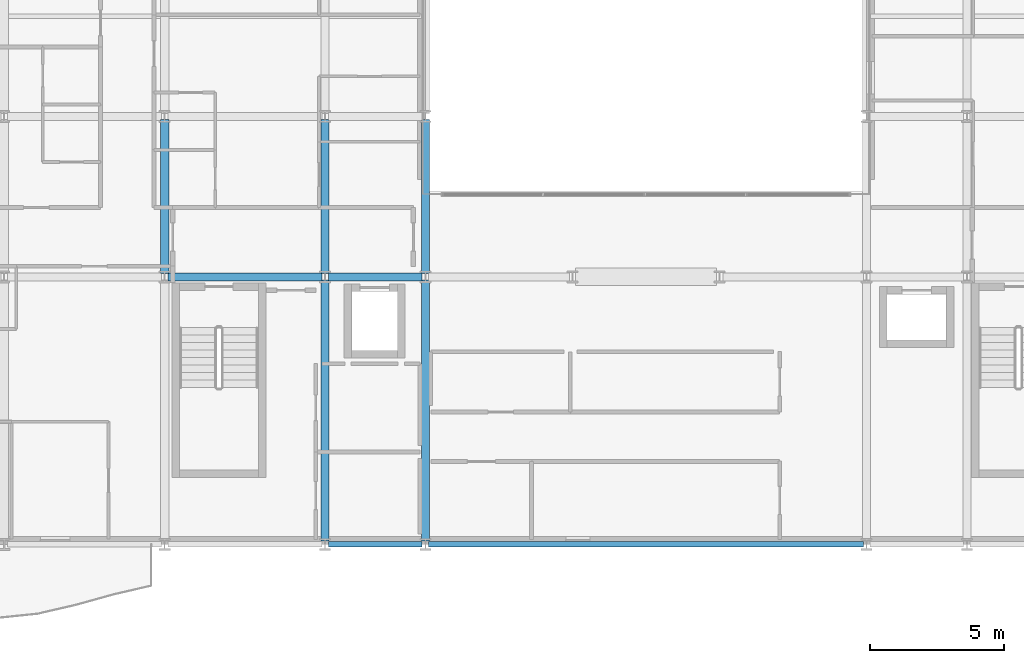
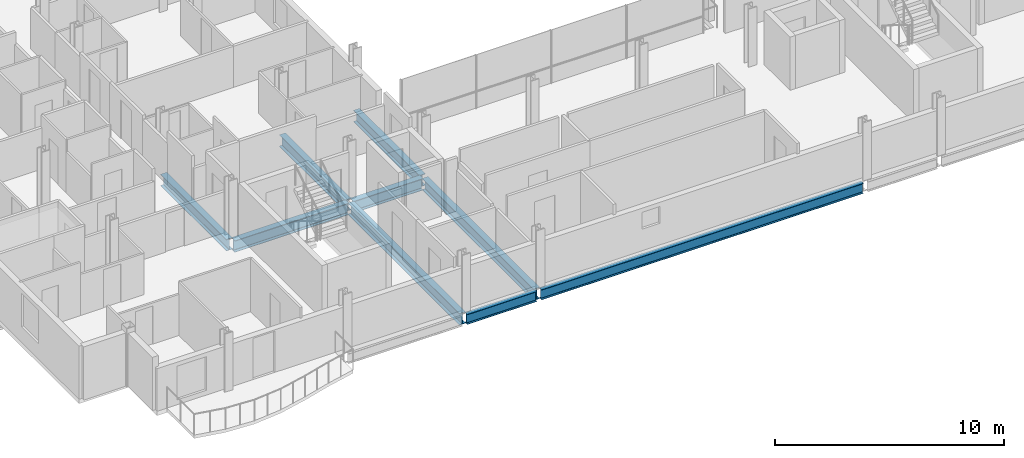
# One storey, part 3 of 41: 9 beams.
"""IFC4 building model written with IfcOpenShell, lengths in metres."""

from ifc_helpers import new_model, si_unit, direction, frame, origin, origin_2d, place, context, subcontext, project, spatial, i_section, extrude, material, material_profile, profile_set, type_object, element, save


model = new_model("IFC4")

# Units and contexts
model_context = context("Model", 3, precision=1e-05, world=origin(), true_north=direction((0.0, 1.0)))
body_context = subcontext(model_context, "Body", "Model", "MODEL_VIEW")
ifc_project = project(units=[si_unit("LENGTHUNIT", "METRE"), si_unit("AREAUNIT", "SQUARE_METRE"), si_unit("VOLUMEUNIT", "CUBIC_METRE"), si_unit("PLANEANGLEUNIT", "RADIAN"), si_unit("MASSUNIT", "GRAM", prefix="KILO")], contexts=[model_context])

# Site, building, storey
site_placement = place(None, origin())
site = spatial("IfcSite", under=ifc_project, at=site_placement, CompositionType="ELEMENT")
building_placement = place(site_placement, origin())
building = spatial("IfcBuilding", under=site, at=building_placement, Name="Brevholm Reach", CompositionType="ELEMENT")
storey_placement = place(building_placement, frame((0.0, 0.0, 93.10009765625)))
storey = spatial("IfcBuildingStorey", under=building, at=storey_placement, Name="L27", CompositionType="ELEMENT", Elevation=93.10009765625)

# Beams
ifc_material_1 = material(Name="Structural Steel S355J2", Category="steel")
ifc_material_profile_1 = material_profile(ifc_material_1, i_section(OverallWidth=0.210693359375, OverallDepth=0.53955078125, WebThickness=0.01171875, FlangeThickness=0.018798828125, FilletRadius=0.0126953125, at=origin_2d()), Name="UKB 533x210x109")
ifc_profile_set_1 = profile_set([ifc_material_profile_1], Name="Structural Steel S355J2")
beam_type_1 = type_object("IfcBeamType", Name="BM-SP539", PredefinedType="SPANDREL", material=ifc_profile_set_1)
beam_1_placement = place(storey_placement, frame((18.1201171875, 0.0, -0.499755859375), z_axis=(1.0, 0.0, 0.0), x_axis=(0.0, 1.0, 0.0)))
element("IfcBeam", 1, at=beam_1_placement, inside=storey, type_object=beam_type_1, Name="L27 SP-01B Framing Beam", PredefinedType="SPANDREL", context=body_context, shape_type="SweptSolid", body=[
    extrude(i_section(OverallWidth=0.210693359375, OverallDepth=0.53955078125, WebThickness=0.01171875, FlangeThickness=0.018798828125, FilletRadius=0.0126953125, at=origin_2d()), origin(), (0.0, 0.0, 1.0), 3.509765625),
])
beam_2_placement = place(storey_placement, frame((21.8701171875, 0.0, -0.499755859375), z_axis=(1.0, 0.0, 0.0), x_axis=(0.0, 1.0, 0.0)))
element("IfcBeam", 2, at=beam_2_placement, inside=storey, type_object=beam_type_1, Name="L27 SP-01B Framing Beam", PredefinedType="SPANDREL", context=body_context, shape_type="SweptSolid", body=[
    extrude(i_section(OverallWidth=0.210693359375, OverallDepth=0.53955078125, WebThickness=0.01171875, FlangeThickness=0.018798828125, FilletRadius=0.0126953125, at=origin_2d()), origin(), (0.0, 0.0, 1.0), 16.259765625),
])
ifc_material_2 = material(Name="Structural Steel S355J2", Category="steel")
ifc_material_profile_2 = material_profile(ifc_material_2, i_section(OverallWidth=0.30712890625, OverallDepth=0.6201171875, WebThickness=0.01416015625, FlangeThickness=0.023681640625, FilletRadius=0.0166015625, at=origin_2d()), Name="UKB 610x305x179")
ifc_profile_set_2 = profile_set([ifc_material_profile_2], Name="Structural Steel S355J2")
beam_type_2 = type_object("IfcBeamType", Name="BM-UKB610H", PredefinedType="USERDEFINED", material=ifc_profile_set_2)
beam_3_placement = place(storey_placement, frame((12.1201171875, 10.0, -0.540283203125), z_axis=(1.0, 0.0, 0.0), x_axis=(0.0, 1.0, 0.0)))
element("IfcBeam", 3, at=beam_3_placement, inside=storey, type_object=beam_type_2, Name="L27 G-06 Framing Beam", ObjectType="GIRDER", PredefinedType="USERDEFINED", context=body_context, shape_type="SweptSolid", body=[
    extrude(i_section(OverallWidth=0.30712890625, OverallDepth=0.6201171875, WebThickness=0.01416015625, FlangeThickness=0.023681640625, FilletRadius=0.0166015625, at=origin_2d()), origin(), (0.0, 0.0, 1.0), 5.759765625),
])
beam_4_placement = place(storey_placement, frame((18.1201171875, 10.0, -0.540283203125), z_axis=(1.0, 0.0, 0.0), x_axis=(0.0, 1.0, 0.0)))
element("IfcBeam", 4, at=beam_4_placement, inside=storey, type_object=beam_type_2, Name="L27 G-06 Framing Beam", ObjectType="GIRDER", PredefinedType="USERDEFINED", context=body_context, shape_type="SweptSolid", body=[
    extrude(i_section(OverallWidth=0.30712890625, OverallDepth=0.6201171875, WebThickness=0.01416015625, FlangeThickness=0.023681640625, FilletRadius=0.0166015625, at=origin_2d()), origin(), (0.0, 0.0, 1.0), 3.509765625),
])
beam_5_placement = place(storey_placement, frame((12.0, 10.1201171875, -0.540283203125), z_axis=(0.0, 1.0, 0.0), x_axis=(-1.0, 0.0, 0.0)))
element("IfcBeam", 5, at=beam_5_placement, inside=storey, type_object=beam_type_2, Name="L27 G-06 Framing Beam", ObjectType="GIRDER", PredefinedType="USERDEFINED", context=body_context, shape_type="SweptSolid", body=[
    extrude(i_section(OverallWidth=0.30712890625, OverallDepth=0.6201171875, WebThickness=0.01416015625, FlangeThickness=0.023681640625, FilletRadius=0.0166015625, at=origin_2d()), origin(), (0.0, 0.0, 1.0), 5.759765625),
])
beam_6_placement = place(storey_placement, frame((18.0, 0.1201171875, -0.540283203125), z_axis=(0.0, 1.0, 0.0), x_axis=(-1.0, 0.0, 0.0)))
element("IfcBeam", 6, at=beam_6_placement, inside=storey, type_object=beam_type_2, Name="L27 G-06 Framing Beam", ObjectType="GIRDER", PredefinedType="USERDEFINED", context=body_context, shape_type="SweptSolid", body=[
    extrude(i_section(OverallWidth=0.30712890625, OverallDepth=0.6201171875, WebThickness=0.01416015625, FlangeThickness=0.023681640625, FilletRadius=0.0166015625, at=origin_2d()), origin(), (0.0, 0.0, 1.0), 9.759765625),
])
beam_7_placement = place(storey_placement, frame((18.0, 10.1201171875, -0.540283203125), z_axis=(0.0, 1.0, 0.0), x_axis=(-1.0, 0.0, 0.0)))
element("IfcBeam", 7, at=beam_7_placement, inside=storey, type_object=beam_type_2, Name="L27 G-06 Framing Beam", ObjectType="GIRDER", PredefinedType="USERDEFINED", context=body_context, shape_type="SweptSolid", body=[
    extrude(i_section(OverallWidth=0.30712890625, OverallDepth=0.6201171875, WebThickness=0.01416015625, FlangeThickness=0.023681640625, FilletRadius=0.0166015625, at=origin_2d()), origin(), (0.0, 0.0, 1.0), 5.759765625),
])
beam_8_placement = place(storey_placement, frame((21.75, 0.1201171875, -0.540283203125), z_axis=(0.0, 1.0, 0.0), x_axis=(-1.0, 0.0, 0.0)))
element("IfcBeam", 8, at=beam_8_placement, inside=storey, type_object=beam_type_2, Name="L27 G-06 Framing Beam", ObjectType="GIRDER", PredefinedType="USERDEFINED", context=body_context, shape_type="SweptSolid", body=[
    extrude(i_section(OverallWidth=0.30712890625, OverallDepth=0.6201171875, WebThickness=0.01416015625, FlangeThickness=0.023681640625, FilletRadius=0.0166015625, at=origin_2d()), origin(), (0.0, 0.0, 1.0), 9.759765625),
])
beam_9_placement = place(storey_placement, frame((21.75, 10.1201171875, -0.540283203125), z_axis=(0.0, 1.0, 0.0), x_axis=(-1.0, 0.0, 0.0)))
element("IfcBeam", 9, at=beam_9_placement, inside=storey, type_object=beam_type_2, Name="L27 G-06 Framing Beam", ObjectType="GIRDER", PredefinedType="USERDEFINED", context=body_context, shape_type="SweptSolid", body=[
    extrude(i_section(OverallWidth=0.30712890625, OverallDepth=0.6201171875, WebThickness=0.01416015625, FlangeThickness=0.023681640625, FilletRadius=0.0166015625, at=origin_2d()), origin(), (0.0, 0.0, 1.0), 5.759765625),
])

save(model, "model.ifc")
